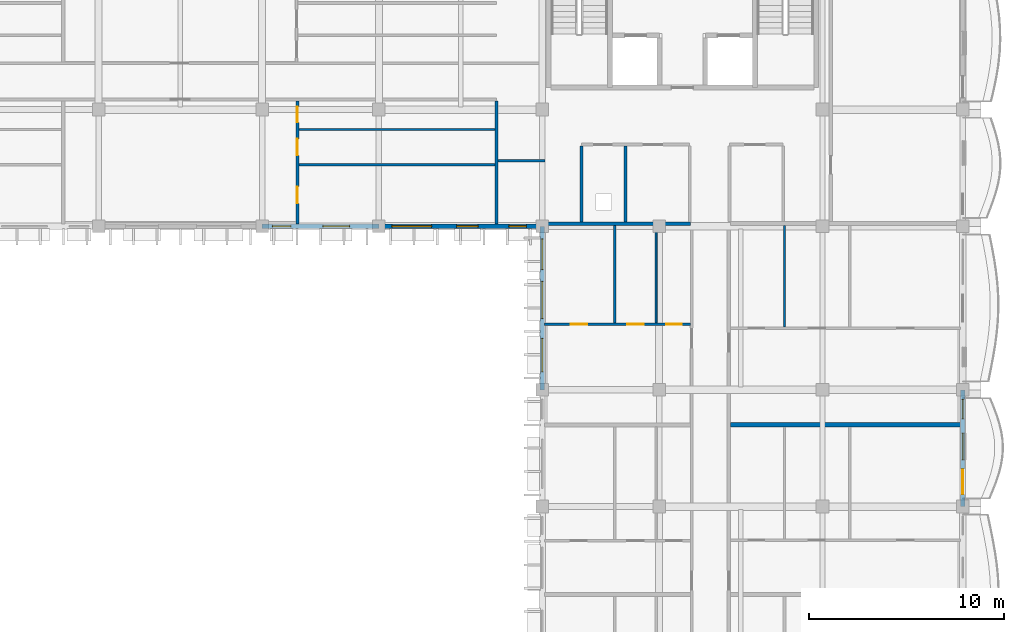
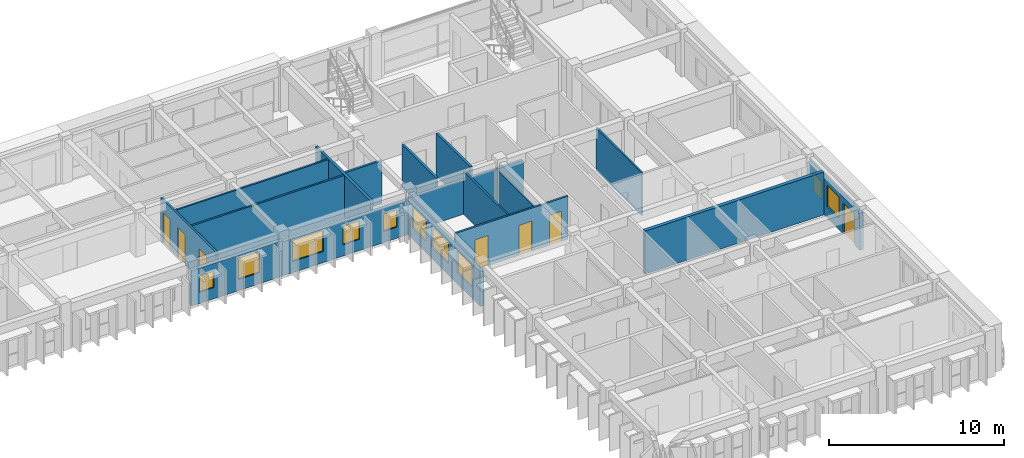
# One storey, part 64 of 101: 17 walls, 10 windows, 7 doors, 17 openings.
"""IFC4 building model written with IfcOpenShell, lengths in metres."""

from ifc_helpers import new_model, si_unit, direction, frame, frame_2d, origin, place, context, subcontext, project, spatial, rectangle, extrude, material, layer, layer_set, type_object, element, fill, save


model = new_model("IFC4")

# Units and contexts
model_context = context("Model", 3, precision=1e-05, world=origin(), true_north=direction((0.0, 1.0)))
body_context = subcontext(model_context, "Body", "Model", "MODEL_VIEW")
ifc_project = project(units=[si_unit("LENGTHUNIT", "METRE"), si_unit("AREAUNIT", "SQUARE_METRE"), si_unit("VOLUMEUNIT", "CUBIC_METRE"), si_unit("PLANEANGLEUNIT", "RADIAN"), si_unit("MASSUNIT", "GRAM", prefix="KILO"), si_unit("THERMODYNAMICTEMPERATUREUNIT", "KELVIN")], contexts=[model_context])

# Site, building, storey
site_placement = place(None, origin())
site = spatial("IfcSite", under=ifc_project, at=site_placement, CompositionType="ELEMENT")
building_placement = place(site_placement, origin())
building = spatial("IfcBuilding", under=site, at=building_placement, Name="Thalorik Housing Commons", CompositionType="ELEMENT")
storey_placement = place(building_placement, frame((0.0, 0.0, 8.10009765625)))
storey = spatial("IfcBuildingStorey", under=building, at=storey_placement, Name="L02", CompositionType="ELEMENT", Elevation=8.10009765625)

# Walls
ifc_material_1 = material(Name="Masonry fire-rated corridor wall", Category="masonry")
ifc_layer_1 = layer(ifc_material_1, 0.14990234375, Name="Masonry fire-rated corridor wall", Category="masonry")
ifc_layer_set_1 = layer_set([ifc_layer_1], Name="Masonry fire-rated corridor wall")
wall_type_1 = type_object("IfcWallType", Name="ARC-WAL-CORR-150", PredefinedType="PARTITIONING", material=ifc_layer_set_1)
wall_1_placement = place(storey_placement, frame((150.134521484375, 112.570068359375, 0.0), z_axis=(0.0, 0.0, 1.0), x_axis=(1.0, 0.0, 0.0)))
element("IfcWall", 1, at=wall_1_placement, inside=storey, type_object=wall_type_1, Name="L02 Block B Vestibule South Wall", PredefinedType="PARTITIONING", context=body_context, shape_type="SweptSolid", body=[
    extrude(rectangle(XDim=2.405517578125, YDim=0.14990234375, at=frame_2d((1.20263671875, 0.0))), origin(), (0.0, 0.0, 1.0), 3.0),
])
ifc_layer_2 = layer(ifc_material_1, 0.1650390625, Name="Masonry fire-rated corridor wall", Category="masonry")
ifc_layer_set_2 = layer_set([ifc_layer_2], Name="Masonry fire-rated corridor wall")
wall_type_2 = type_object("IfcWallType", Name="ARC-WAL-CORR-165", PredefinedType="PARTITIONING", material=ifc_layer_set_2)
wall_2_placement = place(storey_placement, frame((150.050048828125, 109.319580078125, 0.0), z_axis=(0.0, 0.0, 1.0), x_axis=(0.0, 1.0, 0.0)))
element("IfcWall", 2, at=wall_2_placement, inside=storey, type_object=wall_type_2, Name="L02 Block B Vestibule Cheek Wall", PredefinedType="PARTITIONING", context=body_context, shape_type="SweptSolid", body=[
    extrude(rectangle(XDim=6.31591796875, YDim=0.1650390625, at=frame_2d((3.157958984375, 0.0))), origin(), (0.0, 0.0, 1.0), 3.0),
])

# Wall, openings, windows
ifc_material_2 = material(Name="White precast concrete C40/50", Category="concrete")
ifc_layer_3 = layer(ifc_material_2, 0.235107421875, Name="White precast concrete C40/50", Category="concrete")
ifc_layer_set_3 = layer_set([ifc_layer_3], Name="White precast concrete C40/50")
wall_type_3 = type_object("IfcWallType", Name="ARC-WAL-EXT-235", PredefinedType="STANDARD", material=ifc_layer_set_3)
wall_3_placement = place(storey_placement, frame((138.0, 109.199951171875, 0.0), z_axis=(0.0, 0.0, 1.0), x_axis=(1.0, 0.0, 0.0)))
wall_3 = element("IfcWall", 3, at=wall_3_placement, inside=storey, type_object=wall_type_3, Name="L02 Exterior Wall WAL-EXT-L02-B-0470", PredefinedType="STANDARD", context=body_context, shape_type="SweptSolid", body=[
    extrude(rectangle(XDim=6.0, YDim=0.235107421875, at=frame_2d((3.0, 0.0))), origin(), (0.0, 0.0, 1.0), 2.474853515625),
])
opening_1_placement = place(wall_3_placement, frame((0.527587890625, 0.0, 0.780029296875)))
opening_1 = element("IfcOpeningElement", 4, at=opening_1_placement, cuts=wall_3, Name="Opening W-43", PredefinedType="OPENING", context=body_context, shape_type="SweptSolid", body=[
    extrude(rectangle(XDim=0.949951171875, YDim=1.14990234375, at=frame_2d((0.47509765625, 0.574951171875))), frame((0.0, 0.12744140625, 0.0), z_axis=(0.0, -1.0, 0.0), x_axis=(1.0, 0.0, 0.0)), (0.0, 0.0, 1.0), 0.255126953125),
])
opening_2_placement = place(wall_3_placement, frame((3.12255859375, 0.0, 0.780029296875)))
opening_2 = element("IfcOpeningElement", 5, at=opening_2_placement, cuts=wall_3, Name="Opening W-49", PredefinedType="OPENING", context=body_context, shape_type="SweptSolid", body=[
    extrude(rectangle(XDim=1.3798828125, YDim=1.47998046875, at=frame_2d((0.68994140625, 0.739990234375))), frame((0.0, 0.12744140625, 0.0), z_axis=(0.0, -1.0, 0.0), x_axis=(1.0, 0.0, 0.0)), (0.0, 0.0, 1.0), 0.255126953125),
])
ifc_material_3 = material(Name="Anodised aluminium and solar-control low-E glass", Category="aluminium")
window_type_1 = type_object("IfcWindowType", Name="ARC-WIN-43", PartitioningType="SINGLE_PANEL", PredefinedType="WINDOW", material=ifc_material_3)
window_1_placement = place(opening_1_placement, origin())
window_1 = element("IfcWindow", 6, at=window_1_placement, inside=storey, type_object=window_type_1, Name="L02 Facade Window 840", OverallHeight=1.14990234375, OverallWidth=0.949951171875, PartitioningType="SINGLE_PANEL", PredefinedType="WINDOW", context=body_context, shape_type="SweptSolid", body=[
    extrude(rectangle(XDim=0.949951171875, YDim=1.14990234375, at=frame_2d((0.47509765625, 0.574951171875))), frame((0.0, 0.030029296875, 0.0), z_axis=(0.0, -1.0, 0.0), x_axis=(1.0, 0.0, 0.0)), (0.0, 0.0, 1.0), 0.06005859375),
])
fill(opening_1, window_1)
window_type_2 = type_object("IfcWindowType", Name="ARC-WIN-49", PartitioningType="SINGLE_PANEL", PredefinedType="WINDOW", material=ifc_material_3)
window_2_placement = place(opening_2_placement, origin())
window_2 = element("IfcWindow", 7, at=window_2_placement, inside=storey, type_object=window_type_2, Name="L02 Facade Window 841", OverallHeight=1.47998046875, OverallWidth=1.3798828125, PartitioningType="SINGLE_PANEL", PredefinedType="WINDOW", context=body_context, shape_type="SweptSolid", body=[
    extrude(rectangle(XDim=1.3798828125, YDim=1.47998046875, at=frame_2d((0.68994140625, 0.739990234375))), frame((0.0, 0.030029296875, 0.0), z_axis=(0.0, -1.0, 0.0), x_axis=(1.0, 0.0, 0.0)), (0.0, 0.0, 1.0), 0.06005859375),
])
fill(opening_2, window_2)

wall_4_placement = place(storey_placement, frame((144.0, 109.199951171875, 0.0), z_axis=(0.0, 0.0, 1.0), x_axis=(1.0, 0.0, 0.0)))
wall_4 = element("IfcWall", 8, at=wall_4_placement, inside=storey, type_object=wall_type_3, Name="L02 Exterior Wall WAL-EXT-L02-B-0471", PredefinedType="STANDARD", context=body_context, shape_type="SweptSolid", body=[
    extrude(rectangle(XDim=8.39990234375, YDim=0.235107421875, at=frame_2d((4.199951171875, 0.0))), origin(), (0.0, 0.0, 1.0), 2.375),
])
opening_3_placement = place(wall_4_placement, frame((0.669921875, 0.0, 0.780029296875)))
opening_3 = element("IfcOpeningElement", 9, at=opening_3_placement, cuts=wall_4, Name="Opening W-62", PredefinedType="OPENING", context=body_context, shape_type="SweptSolid", body=[
    extrude(rectangle(XDim=2.0400390625, YDim=1.4599609375, at=frame_2d((1.02001953125, 0.72998046875))), frame((0.0, 0.12744140625, 0.0), z_axis=(0.0, -1.0, 0.0), x_axis=(1.0, 0.0, 0.0)), (0.0, 0.0, 1.0), 0.255126953125),
])
opening_4_placement = place(wall_4_placement, frame((4.0, 0.0, 0.780029296875)))
opening_4 = element("IfcOpeningElement", 10, at=opening_4_placement, cuts=wall_4, Name="Opening W-03", PredefinedType="OPENING", context=body_context, shape_type="SweptSolid", body=[
    extrude(rectangle(XDim=1.10009765625, YDim=1.300048828125, at=frame_2d((0.550048828125, 0.64990234375))), frame((0.0, 0.12744140625, 0.0), z_axis=(0.0, -1.0, 0.0), x_axis=(1.0, 0.0, 0.0)), (0.0, 0.0, 1.0), 0.255126953125),
])
opening_5_placement = place(wall_4_placement, frame((6.679931640625, 0.0, 0.780029296875)))
opening_5 = element("IfcOpeningElement", 11, at=opening_5_placement, cuts=wall_4, Name="Opening W-01", PredefinedType="OPENING", context=body_context, shape_type="SweptSolid", body=[
    extrude(rectangle(XDim=0.89990234375, YDim=1.199951171875, at=frame_2d((0.449951171875, 0.60009765625))), frame((0.0, 0.12744140625, 0.0), z_axis=(0.0, -1.0, 0.0), x_axis=(1.0, 0.0, 0.0)), (0.0, 0.0, 1.0), 0.255126953125),
])
window_type_3 = type_object("IfcWindowType", Name="ARC-WIN-01", PartitioningType="SINGLE_PANEL", PredefinedType="WINDOW", material=ifc_material_3)
window_3_placement = place(opening_5_placement, origin())
window_3 = element("IfcWindow", 12, at=window_3_placement, inside=storey, type_object=window_type_3, Name="L02 Facade Window 844", OverallHeight=1.199951171875, OverallWidth=0.89990234375, PartitioningType="SINGLE_PANEL", PredefinedType="WINDOW", context=body_context, shape_type="SweptSolid", body=[
    extrude(rectangle(XDim=0.89990234375, YDim=1.199951171875, at=frame_2d((0.449951171875, 0.60009765625))), frame((0.0, 0.030029296875, 0.0), z_axis=(0.0, -1.0, 0.0), x_axis=(1.0, 0.0, 0.0)), (0.0, 0.0, 1.0), 0.06005859375),
])
fill(opening_5, window_3)
window_type_4 = type_object("IfcWindowType", Name="ARC-WIN-03", PartitioningType="SINGLE_PANEL", PredefinedType="WINDOW", material=ifc_material_3)
window_4_placement = place(opening_4_placement, origin())
window_4 = element("IfcWindow", 13, at=window_4_placement, inside=storey, type_object=window_type_4, Name="L02 Facade Window 843", OverallHeight=1.300048828125, OverallWidth=1.10009765625, PartitioningType="SINGLE_PANEL", PredefinedType="WINDOW", context=body_context, shape_type="SweptSolid", body=[
    extrude(rectangle(XDim=1.10009765625, YDim=1.300048828125, at=frame_2d((0.550048828125, 0.64990234375))), frame((0.0, 0.030029296875, 0.0), z_axis=(0.0, -1.0, 0.0), x_axis=(1.0, 0.0, 0.0)), (0.0, 0.0, 1.0), 0.06005859375),
])
fill(opening_4, window_4)
window_type_5 = type_object("IfcWindowType", Name="ARC-WIN-62", PartitioningType="DOUBLE_PANEL_VERTICAL", PredefinedType="WINDOW", material=ifc_material_3)
window_5_placement = place(opening_3_placement, origin())
window_5 = element("IfcWindow", 14, at=window_5_placement, inside=storey, type_object=window_type_5, Name="L02 Facade Window 842", OverallHeight=1.4599609375, OverallWidth=2.0400390625, PartitioningType="DOUBLE_PANEL_VERTICAL", PredefinedType="WINDOW", context=body_context, shape_type="SweptSolid", body=[
    extrude(rectangle(XDim=2.0400390625, YDim=1.4599609375, at=frame_2d((1.02001953125, 0.72998046875))), frame((0.0, 0.030029296875, 0.0), z_axis=(0.0, -1.0, 0.0), x_axis=(1.0, 0.0, 0.0)), (0.0, 0.0, 1.0), 0.06005859375),
])
fill(opening_3, window_5)

wall_5_placement = place(storey_placement, frame((152.39990234375, 109.199951171875, 0.0), z_axis=(0.0, 0.0, 1.0), x_axis=(0.0, -1.0, 0.0)))
wall_5 = element("IfcWall", 15, at=wall_5_placement, inside=storey, type_object=wall_type_3, Name="L02 Exterior Wall WAL-EXT-L02-B-0472", PredefinedType="STANDARD", context=body_context, shape_type="SweptSolid", body=[
    extrude(rectangle(XDim=8.39990234375, YDim=0.235107421875, at=frame_2d((4.199951171875, 0.0))), origin(), (0.0, 0.0, 1.0), 2.4248046875),
])
opening_6_placement = place(wall_5_placement, frame((0.64501953125, 0.0, 0.780029296875)))
opening_6 = element("IfcOpeningElement", 16, at=opening_6_placement, cuts=wall_5, Name="Opening W-53", PredefinedType="OPENING", context=body_context, shape_type="SweptSolid", body=[
    extrude(rectangle(XDim=1.580078125, YDim=1.47998046875, at=frame_2d((0.7900390625, 0.739990234375))), frame((0.0, 0.12744140625, 0.0), z_axis=(0.0, -1.0, 0.0), x_axis=(1.0, 0.0, 0.0)), (0.0, 0.0, 1.0), 0.255126953125),
])
opening_7_placement = place(wall_5_placement, frame((2.824951171875, 0.0, 0.780029296875)))
opening_7 = element("IfcOpeningElement", 17, at=opening_7_placement, cuts=wall_5, Name="Opening W-60", PredefinedType="OPENING", context=body_context, shape_type="SweptSolid", body=[
    extrude(rectangle(XDim=1.919921875, YDim=1.43994140625, at=frame_2d((0.9599609375, 0.719970703125))), frame((0.0, 0.12744140625, 0.0), z_axis=(0.0, -1.0, 0.0), x_axis=(1.0, 0.0, 0.0)), (0.0, 0.0, 1.0), 0.255126953125),
])
opening_8_placement = place(wall_5_placement, frame((5.760009765625, 0.0, 0.780029296875)))
opening_8 = element("IfcOpeningElement", 18, at=opening_8_placement, cuts=wall_5, Name="Opening W-56", PredefinedType="OPENING", context=body_context, shape_type="SweptSolid", body=[
    extrude(rectangle(XDim=1.719970703125, YDim=1.52001953125, at=frame_2d((0.85986328125, 0.760009765625))), frame((0.0, 0.12744140625, 0.0), z_axis=(0.0, -1.0, 0.0), x_axis=(1.0, 0.0, 0.0)), (0.0, 0.0, 1.0), 0.255126953125),
])
window_type_6 = type_object("IfcWindowType", Name="ARC-WIN-53", PartitioningType="SINGLE_PANEL", PredefinedType="WINDOW", material=ifc_material_3)
window_6_placement = place(opening_6_placement, origin())
window_6 = element("IfcWindow", 19, at=window_6_placement, inside=storey, type_object=window_type_6, Name="L02 Facade Window 845", OverallHeight=1.47998046875, OverallWidth=1.580078125, PartitioningType="SINGLE_PANEL", PredefinedType="WINDOW", context=body_context, shape_type="SweptSolid", body=[
    extrude(rectangle(XDim=1.580078125, YDim=1.47998046875, at=frame_2d((0.7900390625, 0.739990234375))), frame((0.0, 0.030029296875, 0.0), z_axis=(0.0, -1.0, 0.0), x_axis=(1.0, 0.0, 0.0)), (0.0, 0.0, 1.0), 0.06005859375),
])
fill(opening_6, window_6)
window_type_7 = type_object("IfcWindowType", Name="ARC-WIN-56", PartitioningType="DOUBLE_PANEL_VERTICAL", PredefinedType="WINDOW", material=ifc_material_3)
window_7_placement = place(opening_8_placement, origin())
window_7 = element("IfcWindow", 20, at=window_7_placement, inside=storey, type_object=window_type_7, Name="L02 Facade Window 847", OverallHeight=1.52001953125, OverallWidth=1.719970703125, PartitioningType="DOUBLE_PANEL_VERTICAL", PredefinedType="WINDOW", context=body_context, shape_type="SweptSolid", body=[
    extrude(rectangle(XDim=1.719970703125, YDim=1.52001953125, at=frame_2d((0.85986328125, 0.760009765625))), frame((0.0, 0.030029296875, 0.0), z_axis=(0.0, -1.0, 0.0), x_axis=(1.0, 0.0, 0.0)), (0.0, 0.0, 1.0), 0.06005859375),
])
fill(opening_8, window_7)
window_type_8 = type_object("IfcWindowType", Name="ARC-WIN-60", PartitioningType="DOUBLE_PANEL_VERTICAL", PredefinedType="WINDOW", material=ifc_material_3)
window_8_placement = place(opening_7_placement, origin())
window_8 = element("IfcWindow", 21, at=window_8_placement, inside=storey, type_object=window_type_8, Name="L02 Facade Window 846", OverallHeight=1.43994140625, OverallWidth=1.919921875, PartitioningType="DOUBLE_PANEL_VERTICAL", PredefinedType="WINDOW", context=body_context, shape_type="SweptSolid", body=[
    extrude(rectangle(XDim=1.919921875, YDim=1.43994140625, at=frame_2d((0.9599609375, 0.719970703125))), frame((0.0, 0.030029296875, 0.0), z_axis=(0.0, -1.0, 0.0), x_axis=(1.0, 0.0, 0.0)), (0.0, 0.0, 1.0), 0.06005859375),
])
fill(opening_7, window_8)

# Wall, openings, door, windows
wall_6_placement = place(storey_placement, frame((174.0, 94.800048828125, 0.0), z_axis=(0.0, 0.0, 1.0), x_axis=(0.0, 1.0, 0.0)))
wall_6 = element("IfcWall", 22, at=wall_6_placement, inside=storey, type_object=wall_type_3, Name="L02 Exterior Wall WAL-EXT-L02-B-0481", PredefinedType="STANDARD", context=body_context, shape_type="SweptSolid", body=[
    extrude(rectangle(XDim=6.0, YDim=0.235107421875, at=frame_2d((3.0, 0.0))), origin(), (0.0, 0.0, 1.0), 2.574951171875),
])
opening_9_placement = place(wall_6_placement, frame((0.6201171875, 0.0, 0.0)))
opening_9 = element("IfcOpeningElement", 23, at=opening_9_placement, cuts=wall_6, Name="Opening ED-0138", PredefinedType="OPENING", context=body_context, shape_type="SweptSolid", body=[
    extrude(rectangle(XDim=1.300048828125, YDim=2.14990234375, at=frame_2d((0.64990234375, 1.074951171875))), frame((0.0, 0.12744140625, 0.0), z_axis=(0.0, -1.0, 0.0), x_axis=(1.0, 0.0, 0.0)), (0.0, 0.0, 1.0), 0.255126953125),
])
opening_10_placement = place(wall_6_placement, frame((2.39501953125, 0.0, 0.780029296875)))
opening_10 = element("IfcOpeningElement", 24, at=opening_10_placement, cuts=wall_6, Name="Opening W-49", PredefinedType="OPENING", context=body_context, shape_type="SweptSolid", body=[
    extrude(rectangle(XDim=1.3798828125, YDim=1.47998046875, at=frame_2d((0.68994140625, 0.739990234375))), frame((0.0, 0.12744140625, 0.0), z_axis=(0.0, -1.0, 0.0), x_axis=(1.0, 0.0, 0.0)), (0.0, 0.0, 1.0), 0.255126953125),
])
opening_11_placement = place(wall_6_placement, frame((4.5048828125, 0.0, 0.780029296875)))
opening_11 = element("IfcOpeningElement", 25, at=opening_11_placement, cuts=wall_6, Name="Opening W-02", PredefinedType="OPENING", context=body_context, shape_type="SweptSolid", body=[
    extrude(rectangle(XDim=1.0, YDim=1.25, at=frame_2d((0.5, 0.625))), frame((0.0, 0.12744140625, 0.0), z_axis=(0.0, -1.0, 0.0), x_axis=(1.0, 0.0, 0.0)), (0.0, 0.0, 1.0), 0.255126953125),
])
ifc_material_4 = material(Name="Anodised aluminium and laminated safety glass", Category="aluminium")
door_type_1 = type_object("IfcDoorType", Name="ARC-DR-BAL-1300", OperationType="NOTDEFINED", PredefinedType="DOOR", material=ifc_material_4)
door_1_placement = place(opening_9_placement, frame((1.300048828125, 0.0, 0.0), z_axis=(0.0, 0.0, 1.0), x_axis=(-1.0, 0.0, 0.0)))
door_1 = element("IfcDoor", 26, at=door_1_placement, inside=storey, type_object=door_type_1, Name="L02 Block B Balcony Glazed Door", OperationType="SINGLE_SWING_LEFT", OverallHeight=2.14990234375, OverallWidth=1.300048828125, PredefinedType="DOOR", context=body_context, shape_type="SweptSolid", body=[
    extrude(rectangle(XDim=1.300048828125, YDim=2.14990234375, at=frame_2d((0.64990234375, 1.074951171875))), frame((0.0, 0.02490234375, 0.0), z_axis=(0.0, -1.0, 0.0), x_axis=(1.0, 0.0, 0.0)), (0.0, 0.0, 1.0), 0.050048828125),
])
fill(opening_9, door_1)
window_type_9 = type_object("IfcWindowType", Name="ARC-WIN-02", PartitioningType="SINGLE_PANEL", PredefinedType="WINDOW", material=ifc_material_3)
window_9_placement = place(opening_11_placement, origin())
window_9 = element("IfcWindow", 27, at=window_9_placement, inside=storey, type_object=window_type_9, Name="L02 Facade Window 868", OverallHeight=1.25, OverallWidth=1.0, PartitioningType="SINGLE_PANEL", PredefinedType="WINDOW", context=body_context, shape_type="SweptSolid", body=[
    extrude(rectangle(XDim=1.0, YDim=1.25, at=frame_2d((0.5, 0.625))), frame((0.0, 0.030029296875, 0.0), z_axis=(0.0, -1.0, 0.0), x_axis=(1.0, 0.0, 0.0)), (0.0, 0.0, 1.0), 0.06005859375),
])
fill(opening_11, window_9)
window_10_placement = place(opening_10_placement, origin())
window_10 = element("IfcWindow", 28, at=window_10_placement, inside=storey, type_object=window_type_2, Name="L02 Facade Window 867", OverallHeight=1.47998046875, OverallWidth=1.3798828125, PartitioningType="SINGLE_PANEL", PredefinedType="WINDOW", context=body_context, shape_type="SweptSolid", body=[
    extrude(rectangle(XDim=1.3798828125, YDim=1.47998046875, at=frame_2d((0.68994140625, 0.739990234375))), frame((0.0, 0.030029296875, 0.0), z_axis=(0.0, -1.0, 0.0), x_axis=(1.0, 0.0, 0.0)), (0.0, 0.0, 1.0), 0.06005859375),
])
fill(opening_10, window_10)

# Walls
ifc_material_5 = material(Name="Gypsum light stud partition", Category="masonry")
ifc_layer_4 = layer(ifc_material_5, 0.10009765625, Name="Gypsum light stud partition", Category="masonry")
ifc_layer_set_4 = layer_set([ifc_layer_4], Name="Gypsum light stud partition")
wall_type_4 = type_object("IfcWallType", Name="ARC-WAL-PART-100", PredefinedType="PARTITIONING", material=ifc_layer_set_4)
wall_7_placement = place(storey_placement, frame((158.251220703125, 104.234619140625, 0.0), z_axis=(0.0, 0.0, 1.0), x_axis=(0.0, 1.0, 0.0)))
element("IfcWall", 29, at=wall_7_placement, inside=storey, type_object=wall_type_4, Name="L02 Unit 3 Wet Wall", PredefinedType="PARTITIONING", context=body_context, shape_type="SweptSolid", body=[
    extrude(rectangle(XDim=5.010986328125, YDim=0.10009765625, at=frame_2d((2.50537109375, 0.0))), origin(), (0.0, 0.0, 1.0), 2.4248046875),
])
ifc_material_6 = material(Name="Gypsum moisture-resistant partition", Category="masonry")
ifc_layer_5 = layer(ifc_material_6, 0.114990234375, Name="Gypsum moisture-resistant partition", Category="masonry")
ifc_layer_set_5 = layer_set([ifc_layer_5], Name="Gypsum moisture-resistant partition")
wall_type_5 = type_object("IfcWallType", Name="ARC-WAL-PART-115", PredefinedType="PARTITIONING", material=ifc_layer_set_5)
wall_8_placement = place(storey_placement, frame((139.886962890625, 114.169677734375, 0.0), z_axis=(0.0, 0.0, 1.0), x_axis=(1.0, 0.0, 0.0)))
element("IfcWall", 30, at=wall_8_placement, inside=storey, type_object=wall_type_5, Name="L02 Unit 3 Wet Wall", PredefinedType="PARTITIONING", context=body_context, shape_type="SweptSolid", body=[
    extrude(rectangle(XDim=10.07861328125, YDim=0.114990234375, at=frame_2d((5.039306640625, 0.0))), origin(), (0.0, 0.0, 1.0), 3.0),
])
wall_9_placement = place(storey_placement, frame((156.11767578125, 104.234619140625, 0.0), z_axis=(0.0, 0.0, 1.0), x_axis=(0.0, 1.0, 0.0)))
element("IfcWall", 31, at=wall_9_placement, inside=storey, type_object=wall_type_5, Name="L02 Unit 3 Bedroom Partition", PredefinedType="PARTITIONING", context=body_context, shape_type="SweptSolid", body=[
    extrude(rectangle(XDim=5.010986328125, YDim=0.114990234375, at=frame_2d((2.50537109375, 0.0))), origin(), (0.0, 0.0, 1.0), 3.0),
])
wall_10_placement = place(storey_placement, frame((164.850341796875, 104.03515625, 0.0), z_axis=(0.0, 0.0, 1.0), x_axis=(0.0, 1.0, 0.0)))
element("IfcWall", 32, at=wall_10_placement, inside=storey, type_object=wall_type_5, Name="L02 Unit 3B Wet Wall", PredefinedType="PARTITIONING", context=body_context, shape_type="SweptSolid", body=[
    extrude(rectangle(XDim=5.202880859375, YDim=0.114990234375, at=frame_2d((2.6015625, 0.0))), origin(), (0.0, 0.0, 1.0), 3.0),
])
ifc_material_7 = material(Name="Gypsum acoustic stud partition", Category="masonry")
ifc_layer_6 = layer(ifc_material_7, 0.125, Name="Gypsum acoustic stud partition", Category="masonry")
ifc_layer_set_6 = layer_set([ifc_layer_6], Name="Gypsum acoustic stud partition")
wall_type_6 = type_object("IfcWallType", Name="ARC-WAL-PART-125", PredefinedType="PARTITIONING", material=ifc_layer_set_6)
wall_11_placement = place(storey_placement, frame((139.886962890625, 112.36083984375, 0.0), z_axis=(0.0, 0.0, 1.0), x_axis=(1.0, 0.0, 0.0)))
element("IfcWall", 33, at=wall_11_placement, inside=storey, type_object=wall_type_6, Name="L02 Unit 3 Bedroom Partition", PredefinedType="PARTITIONING", context=body_context, shape_type="SweptSolid", body=[
    extrude(rectangle(XDim=10.07861328125, YDim=0.125, at=frame_2d((5.039306640625, 0.0))), origin(), (0.0, 0.0, 1.0), 3.0),
])

# Wall, openings, doors
wall_12_placement = place(storey_placement, frame((152.51953125, 104.169921875, 0.0), z_axis=(0.0, 0.0, 1.0), x_axis=(1.0, 0.0, 0.0)))
wall_12 = element("IfcWall", 34, at=wall_12_placement, inside=storey, type_object=wall_type_6, Name="L02 Unit 3 Spine Partition", PredefinedType="PARTITIONING", context=body_context, shape_type="SweptSolid", body=[
    extrude(rectangle(XDim=7.4833984375, YDim=0.125, at=frame_2d((3.74169921875, 0.0))), origin(), (0.0, 0.0, 1.0), 3.0),
])
opening_12_placement = place(wall_12_placement, frame((1.34423828125, 0.0, 0.0)))
opening_12 = element("IfcOpeningElement", 35, at=opening_12_placement, cuts=wall_12, Name="Opening ID-1062", PredefinedType="OPENING", context=body_context, shape_type="SweptSolid", body=[
    extrude(rectangle(XDim=0.85009765625, YDim=2.10009765625, at=frame_2d((0.425048828125, 1.050048828125))), frame((0.0, 0.072509765625, 0.0), z_axis=(0.0, -1.0, 0.0), x_axis=(1.0, 0.0, 0.0)), (0.0, 0.0, 1.0), 0.14501953125),
])
opening_13_placement = place(wall_12_placement, frame((4.239990234375, 0.0, 0.0)))
opening_13 = element("IfcOpeningElement", 36, at=opening_13_placement, cuts=wall_12, Name="Opening ID-1063", PredefinedType="OPENING", context=body_context, shape_type="SweptSolid", body=[
    extrude(rectangle(XDim=0.85009765625, YDim=2.10009765625, at=frame_2d((0.425048828125, 1.050048828125))), frame((0.0, 0.072509765625, 0.0), z_axis=(0.0, -1.0, 0.0), x_axis=(1.0, 0.0, 0.0)), (0.0, 0.0, 1.0), 0.14501953125),
])
opening_14_placement = place(wall_12_placement, frame((6.24609375, 0.0, 0.0)))
opening_14 = element("IfcOpeningElement", 37, at=opening_14_placement, cuts=wall_12, Name="Opening ID-1064", PredefinedType="OPENING", context=body_context, shape_type="SweptSolid", body=[
    extrude(rectangle(XDim=0.800048828125, YDim=2.10009765625, at=frame_2d((0.39990234375, 1.050048828125))), frame((0.0, 0.072509765625, 0.0), z_axis=(0.0, -1.0, 0.0), x_axis=(1.0, 0.0, 0.0)), (0.0, 0.0, 1.0), 0.14501953125),
])
ifc_material_8 = material(Name="Moisture-resistant timber", Category="wood")
door_type_2 = type_object("IfcDoorType", Name="ARC-DR-INT-800", OperationType="NOTDEFINED", PredefinedType="DOOR", material=ifc_material_8)
door_2_placement = place(opening_14_placement, origin())
door_2 = element("IfcDoor", 38, at=door_2_placement, inside=storey, type_object=door_type_2, Name="L02 Flat Bathroom Door", OperationType="SINGLE_SWING_LEFT", OverallHeight=2.10009765625, OverallWidth=0.800048828125, PredefinedType="DOOR", context=body_context, shape_type="SweptSolid", body=[
    extrude(rectangle(XDim=0.800048828125, YDim=2.10009765625, at=frame_2d((0.39990234375, 1.050048828125))), frame((0.0, 0.02490234375, 0.0), z_axis=(0.0, -1.0, 0.0), x_axis=(1.0, 0.0, 0.0)), (0.0, 0.0, 1.0), 0.050048828125),
])
fill(opening_14, door_2)
ifc_material_9 = material(Name="Engineered oak timber", Category="wood")
door_type_3 = type_object("IfcDoorType", Name="ARC-DR-INT-850", OperationType="NOTDEFINED", PredefinedType="DOOR", material=ifc_material_9)
door_3_placement = place(opening_12_placement, origin())
door_3 = element("IfcDoor", 39, at=door_3_placement, inside=storey, type_object=door_type_3, Name="L02 Master Bedroom Door", OperationType="SINGLE_SWING_LEFT", OverallHeight=2.10009765625, OverallWidth=0.85009765625, PredefinedType="DOOR", context=body_context, shape_type="SweptSolid", body=[
    extrude(rectangle(XDim=0.85009765625, YDim=2.10009765625, at=frame_2d((0.425048828125, 1.050048828125))), frame((0.0, 0.02490234375, 0.0), z_axis=(0.0, -1.0, 0.0), x_axis=(1.0, 0.0, 0.0)), (0.0, 0.0, 1.0), 0.050048828125),
])
fill(opening_12, door_3)
door_4_placement = place(opening_13_placement, origin())
door_4 = element("IfcDoor", 40, at=door_4_placement, inside=storey, type_object=door_type_3, Name="L02 Eat-In Kitchen Door", OperationType="SINGLE_SWING_RIGHT", OverallHeight=2.10009765625, OverallWidth=0.85009765625, PredefinedType="DOOR", context=body_context, shape_type="SweptSolid", body=[
    extrude(rectangle(XDim=0.85009765625, YDim=2.10009765625, at=frame_2d((0.425048828125, 1.050048828125))), frame((0.0, 0.02490234375, 0.0), z_axis=(0.0, -1.0, 0.0), x_axis=(1.0, 0.0, 0.0)), (0.0, 0.0, 1.0), 0.050048828125),
])
fill(opening_13, door_4)

ifc_material_10 = material(Name="Ceramic masonry partition wall", Category="masonry")
ifc_layer_7 = layer(ifc_material_10, 0.139892578125, Name="Ceramic masonry partition wall", Category="masonry")
ifc_layer_set_7 = layer_set([ifc_layer_7], Name="Ceramic masonry partition wall")
wall_type_7 = type_object("IfcWallType", Name="ARC-WAL-PART-140", PredefinedType="PARTITIONING", material=ifc_layer_set_7)
wall_13_placement = place(storey_placement, frame((139.81494140625, 109.319580078125, 0.0), z_axis=(0.0, 0.0, 1.0), x_axis=(0.0, 1.0, 0.0)))
wall_13 = element("IfcWall", 41, at=wall_13_placement, inside=storey, type_object=wall_type_7, Name="L02 Unit 3 Spine Partition", PredefinedType="PARTITIONING", context=body_context, shape_type="SweptSolid", body=[
    extrude(rectangle(XDim=6.31591796875, YDim=0.139892578125, at=frame_2d((3.157958984375, 0.0))), origin(), (0.0, 0.0, 1.0), 3.0),
])
opening_15_placement = place(wall_13_placement, frame((1.06591796875, 0.0, 0.0)))
opening_15 = element("IfcOpeningElement", 42, at=opening_15_placement, cuts=wall_13, Name="Opening ID-1037", PredefinedType="OPENING", context=body_context, shape_type="SweptSolid", body=[
    extrude(rectangle(XDim=0.85009765625, YDim=2.10009765625, at=frame_2d((0.425048828125, 1.050048828125))), frame((0.0, 0.080078125, 0.0), z_axis=(0.0, -1.0, 0.0), x_axis=(1.0, 0.0, 0.0)), (0.0, 0.0, 1.0), 0.159912109375),
])
opening_16_placement = place(wall_13_placement, frame((3.520751953125, 0.0, 0.0)))
opening_16 = element("IfcOpeningElement", 43, at=opening_16_placement, cuts=wall_13, Name="Opening ID-1038", PredefinedType="OPENING", context=body_context, shape_type="SweptSolid", body=[
    extrude(rectangle(XDim=0.85009765625, YDim=2.10009765625, at=frame_2d((0.425048828125, 1.050048828125))), frame((0.0, 0.080078125, 0.0), z_axis=(0.0, -1.0, 0.0), x_axis=(1.0, 0.0, 0.0)), (0.0, 0.0, 1.0), 0.159912109375),
])
opening_17_placement = place(wall_13_placement, frame((5.225341796875, 0.0, 0.0)))
opening_17 = element("IfcOpeningElement", 44, at=opening_17_placement, cuts=wall_13, Name="Opening ID-1039", PredefinedType="OPENING", context=body_context, shape_type="SweptSolid", body=[
    extrude(rectangle(XDim=0.800048828125, YDim=2.10009765625, at=frame_2d((0.39990234375, 1.050048828125))), frame((0.0, 0.080078125, 0.0), z_axis=(0.0, -1.0, 0.0), x_axis=(1.0, 0.0, 0.0)), (0.0, 0.0, 1.0), 0.159912109375),
])
door_5_placement = place(opening_17_placement, origin())
door_5 = element("IfcDoor", 45, at=door_5_placement, inside=storey, type_object=door_type_2, Name="L02 Flat Bathroom Door", OperationType="SINGLE_SWING_RIGHT", OverallHeight=2.10009765625, OverallWidth=0.800048828125, PredefinedType="DOOR", context=body_context, shape_type="SweptSolid", body=[
    extrude(rectangle(XDim=0.800048828125, YDim=2.10009765625, at=frame_2d((0.39990234375, 1.050048828125))), frame((0.0, 0.02490234375, 0.0), z_axis=(0.0, -1.0, 0.0), x_axis=(1.0, 0.0, 0.0)), (0.0, 0.0, 1.0), 0.050048828125),
])
fill(opening_17, door_5)
door_6_placement = place(opening_15_placement, origin())
door_6 = element("IfcDoor", 46, at=door_6_placement, inside=storey, type_object=door_type_3, Name="L02 Master Bedroom Door", OperationType="SINGLE_SWING_RIGHT", OverallHeight=2.10009765625, OverallWidth=0.85009765625, PredefinedType="DOOR", context=body_context, shape_type="SweptSolid", body=[
    extrude(rectangle(XDim=0.85009765625, YDim=2.10009765625, at=frame_2d((0.425048828125, 1.050048828125))), frame((0.0, 0.02490234375, 0.0), z_axis=(0.0, -1.0, 0.0), x_axis=(1.0, 0.0, 0.0)), (0.0, 0.0, 1.0), 0.050048828125),
])
fill(opening_15, door_6)
door_7_placement = place(opening_16_placement, origin())
door_7 = element("IfcDoor", 47, at=door_7_placement, inside=storey, type_object=door_type_3, Name="L02 Eat-In Kitchen Door", OperationType="SINGLE_SWING_LEFT", OverallHeight=2.10009765625, OverallWidth=0.85009765625, PredefinedType="DOOR", context=body_context, shape_type="SweptSolid", body=[
    extrude(rectangle(XDim=0.85009765625, YDim=2.10009765625, at=frame_2d((0.425048828125, 1.050048828125))), frame((0.0, 0.02490234375, 0.0), z_axis=(0.0, -1.0, 0.0), x_axis=(1.0, 0.0, 0.0)), (0.0, 0.0, 1.0), 0.050048828125),
])
fill(opening_16, door_7)

# Walls
ifc_layer_8 = layer(ifc_material_10, 0.14794921875, Name="Ceramic masonry partition wall", Category="masonry")
ifc_layer_set_8 = layer_set([ifc_layer_8], Name="Ceramic masonry partition wall")
wall_type_8 = type_object("IfcWallType", Name="ARC-WAL-PART-150", PredefinedType="PARTITIONING", material=ifc_layer_set_8)
for number, where, z_axis, x_axis, name in (
    (48, (154.419921875, 113.323974609375, 0.0), (0.0, 0.0, 1.0), (0.0, -1.0, 0.0), "Core West Enclosing Wall"),
    (49, (156.675048828125, 113.323974609375, 0.0), (0.0, 0.0, 1.0), (0.0, -1.0, 0.0), "Riser Wall"),
):
    element("IfcWall", number, at=place(storey_placement, frame(where, z_axis=z_axis, x_axis=x_axis)), inside=storey, type_object=wall_type_8, Name=name, PredefinedType="PARTITIONING", context=body_context, shape_type="SweptSolid", body=[
        extrude(rectangle(XDim=3.889404296875, YDim=0.14794921875, at=frame_2d((1.94482421875, 0.0))), origin(), (0.0, 0.0, 1.0), 3.0),
    ])
ifc_material_11 = material(Name="Masonry acoustic blockwork wall", Category="masonry")
ifc_layer_9 = layer(ifc_material_11, 0.18505859375, Name="Masonry acoustic blockwork wall", Category="masonry")
ifc_layer_set_9 = layer_set([ifc_layer_9], Name="Masonry acoustic blockwork wall")
wall_type_9 = type_object("IfcWallType", Name="ARC-WAL-PARTY-185", PredefinedType="PARTITIONING", material=ifc_layer_set_9)
wall_14_placement = place(storey_placement, frame((152.4599609375, 109.340087890625, 0.0), z_axis=(0.0, 0.0, 1.0), x_axis=(1.0, 0.0, 0.0)))
element("IfcWall", 50, at=wall_14_placement, inside=storey, type_object=wall_type_9, Name="L02 Core End Wall A", PredefinedType="PARTITIONING", context=body_context, shape_type="SweptSolid", body=[
    extrude(rectangle(XDim=7.54296875, YDim=0.18505859375, at=frame_2d((3.771484375, 0.0))), origin(), (0.0, 0.0, 1.0), 2.375),
])
ifc_material_12 = material(Name="Precast concrete C40/50 acoustic wall", Category="concrete")
ifc_layer_10 = layer(ifc_material_12, 0.219970703125, Name="Precast concrete C40/50 acoustic wall", Category="concrete")
ifc_layer_set_10 = layer_set([ifc_layer_10], Name="Precast concrete C40/50 acoustic wall")
wall_type_10 = type_object("IfcWallType", Name="ARC-WAL-PARTY-220", PredefinedType="PARTITIONING", material=ifc_layer_set_10)
wall_15_placement = place(storey_placement, frame((162.064453125, 99.0, 0.0), z_axis=(0.0, 0.0, 1.0), x_axis=(1.0, 0.0, 0.0)))
element("IfcWall", 51, at=wall_15_placement, inside=storey, type_object=wall_type_10, Name="L02 Inter-Tenancy Wall 2B", PredefinedType="PARTITIONING", context=body_context, shape_type="SweptSolid", body=[
    extrude(rectangle(XDim=11.816162109375, YDim=0.219970703125, at=frame_2d((5.908203125, 0.0))), origin(), (0.0, 0.0, 1.0), 3.0),
])

save(model, "model.ifc")
